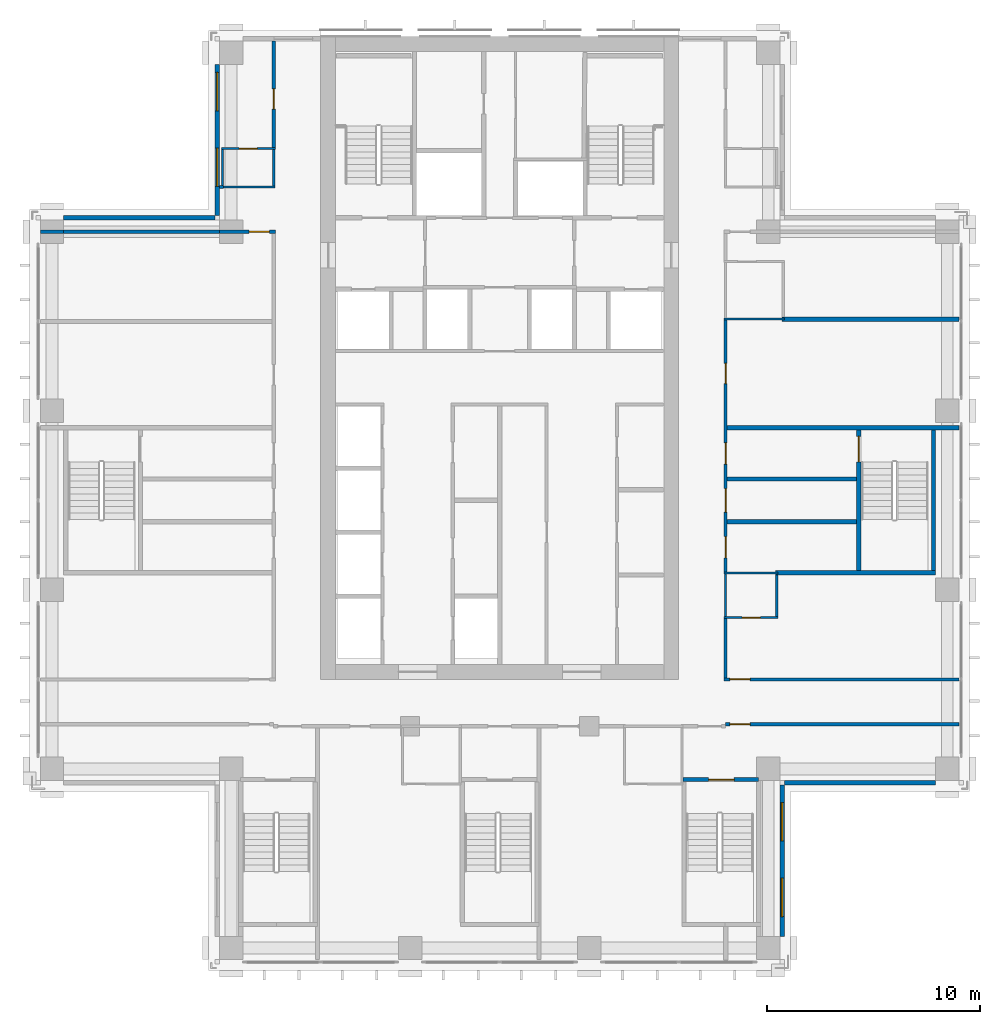
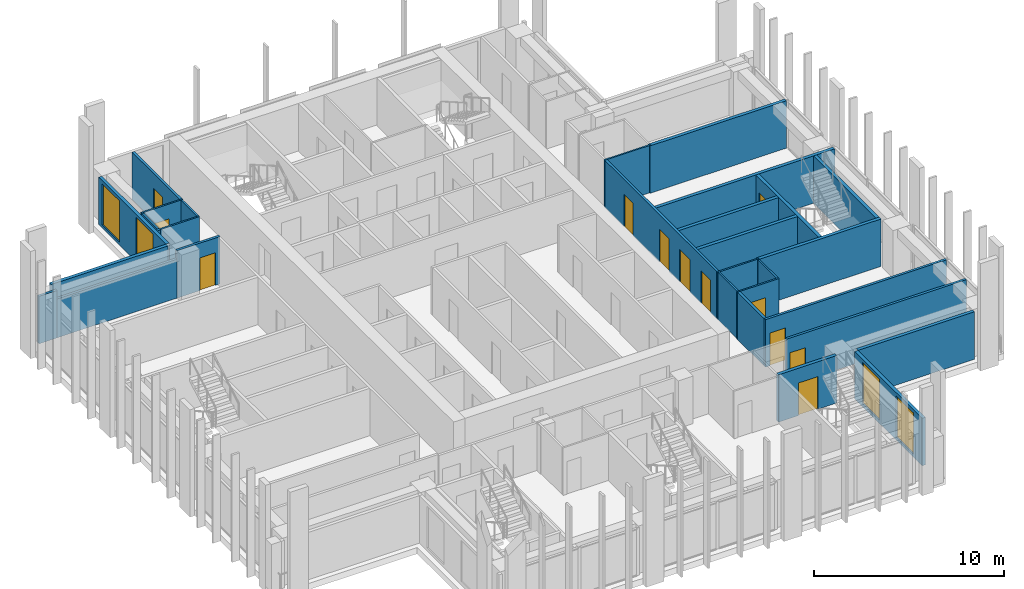
# One storey, part 11 of 16: 30 walls, 12 doors, 4 windows, 16 openings.
"""IFC4 building model written with IfcOpenShell, lengths in metres."""

from ifc_helpers import new_model, si_unit, direction, frame, frame_2d, origin, place, context, subcontext, project, spatial, rectangle, extrude, material, layer, layer_set, type_object, element, fill, save


model = new_model("IFC4")

# Units and contexts
model_context = context("Model", 3, precision=1e-05, world=origin(), true_north=direction((0.0, 1.0)))
body_context = subcontext(model_context, "Body", "Model", "MODEL_VIEW")
ifc_project = project(units=[si_unit("LENGTHUNIT", "METRE"), si_unit("AREAUNIT", "SQUARE_METRE"), si_unit("VOLUMEUNIT", "CUBIC_METRE"), si_unit("PLANEANGLEUNIT", "RADIAN"), si_unit("MASSUNIT", "GRAM", prefix="KILO")], contexts=[model_context])

# Site, building, storey
site_placement = place(None, origin())
site = spatial("IfcSite", under=ifc_project, at=site_placement, CompositionType="ELEMENT")
building_placement = place(site_placement, origin())
building = spatial("IfcBuilding", under=site, at=building_placement, Name="Vermilion Ogive Tower", CompositionType="ELEMENT")
storey_placement = place(building_placement, frame((0.0, 0.0, 150.35009765625)))
storey = spatial("IfcBuildingStorey", under=building, at=storey_placement, Name="L38", CompositionType="ELEMENT", Elevation=150.35009765625)

# Wall, opening, door
ifc_material_1 = material(Name="Gypsum board partition on steel studs", Category="steel")
ifc_layer_1 = layer(ifc_material_1, 0.10009765625)
ifc_layer_set_1 = layer_set([ifc_layer_1], Name="Partition 100 bath")
wall_type_1 = type_object("IfcWallType", Name="Partition 100 bath", PredefinedType="PARTITIONING", material=ifc_layer_set_1)
wall_1_placement = place(storey_placement, frame((10.52490234375, -5.5, 0.0), z_axis=(0.0, 0.0, 1.0), x_axis=(1.0, 0.0, 0.0)))
wall_1 = element("IfcWall", 1, at=wall_1_placement, inside=storey, type_object=wall_type_1, Name="L38-W-W018", PredefinedType="PARTITIONING", context=body_context, shape_type="SweptSolid", body=[
    extrude(rectangle(XDim=2.523193359375, YDim=0.10009765625, at=frame_2d((1.26171875, 0.0))), origin(), (0.0, 0.0, 1.0), 3.0498046875),
])
opening_1_placement = place(wall_1_placement, frame((0.85009765625, 0.0, 0.0)))
opening_1 = element("IfcOpeningElement", 2, at=opening_1_placement, cuts=wall_1, Name="Opening D3G3013", PredefinedType="OPENING", context=body_context, shape_type="SweptSolid", body=[
    extrude(rectangle(XDim=0.85009765625, YDim=2.10009765625, at=frame_2d((0.425048828125, 1.050048828125))), frame((0.0, 0.06005859375, 0.0), z_axis=(0.0, -1.0, 0.0), x_axis=(1.0, 0.0, 0.0)), (0.0, 0.0, 1.0), 0.1201171875),
])
ifc_material_2 = material(Name="Timber door leaf", Category="wood")
door_type_1 = type_object("IfcDoorType", Name="Bath door 850 x 2100 FD30", OperationType="SINGLE_SWING_LEFT", PredefinedType="DOOR", material=ifc_material_2)
door_1_placement = place(opening_1_placement, origin())
door_1 = element("IfcDoor", 3, at=door_1_placement, inside=storey, type_object=door_type_1, Name="L38-D-D013", OperationType="SINGLE_SWING_LEFT", OverallHeight=2.10009765625, OverallWidth=0.85009765625, PredefinedType="DOOR", context=body_context, shape_type="SweptSolid", body=[
    extrude(rectangle(XDim=0.85009765625, YDim=2.10009765625, at=frame_2d((0.425048828125, 1.050048828125))), frame((0.0, 0.02490234375, 0.0), z_axis=(0.0, -1.0, 0.0), x_axis=(1.0, 0.0, 0.0)), (0.0, 0.0, 1.0), 0.050048828125),
])
fill(opening_1, door_1)

# Walls
wall_2_placement = place(storey_placement, frame((10.52490234375, -3.39990234375, 0.0), z_axis=(0.0, 0.0, 1.0), x_axis=(1.0, 0.0, 0.0)))
element("IfcWall", 4, at=wall_2_placement, inside=storey, type_object=wall_type_1, Name="L38-W-W020", PredefinedType="PARTITIONING", context=body_context, shape_type="SweptSolid", body=[
    extrude(rectangle(XDim=2.525146484375, YDim=0.10009765625, at=frame_2d((1.2626953125, 0.0))), origin(), (0.0, 0.0, 1.0), 3.0498046875),
])
wall_3_placement = place(storey_placement, frame((10.52490234375, 8.5, 0.0), z_axis=(0.0, 0.0, 1.0), x_axis=(1.0, 0.0, 0.0)))
element("IfcWall", 5, at=wall_3_placement, inside=storey, type_object=wall_type_1, Name="L38-W-W029", PredefinedType="PARTITIONING", context=body_context, shape_type="SweptSolid", body=[
    extrude(rectangle(XDim=2.8251953125, YDim=0.10009765625, at=frame_2d((1.41259765625, 0.0))), origin(), (0.0, 0.0, 1.0), 3.0498046875),
])
wall_4_placement = place(storey_placement, frame((-13.050048828125, 14.699951171875, 0.0), z_axis=(0.0, 0.0, 1.0), x_axis=(1.0, 0.0, 0.0)))
element("IfcWall", 6, at=wall_4_placement, inside=storey, type_object=wall_type_1, Name="L38-W-W035", PredefinedType="PARTITIONING", context=body_context, shape_type="SweptSolid", body=[
    extrude(rectangle(XDim=2.5, YDim=0.10009765625, at=frame_2d((1.25, 0.0))), origin(), (0.0, 0.0, 1.0), 3.0498046875),
])

# Wall, opening, door
wall_5_placement = place(storey_placement, frame((-13.050048828125, 16.5, 0.0), z_axis=(0.0, 0.0, 1.0), x_axis=(1.0, 0.0, 0.0)))
wall_5 = element("IfcWall", 7, at=wall_5_placement, inside=storey, type_object=wall_type_1, Name="L38-W-W038", PredefinedType="PARTITIONING", context=body_context, shape_type="SweptSolid", body=[
    extrude(rectangle(XDim=2.525146484375, YDim=0.10009765625, at=frame_2d((1.2626953125, 0.0))), origin(), (0.0, 0.0, 1.0), 3.0498046875),
])
opening_2_placement = place(wall_5_placement, frame((0.824951171875, 0.0, 0.0)))
opening_2 = element("IfcOpeningElement", 8, at=opening_2_placement, cuts=wall_5, Name="Opening D3G3006", PredefinedType="OPENING", context=body_context, shape_type="SweptSolid", body=[
    extrude(rectangle(XDim=0.85009765625, YDim=2.10009765625, at=frame_2d((0.425048828125, 1.050048828125))), frame((0.0, 0.06005859375, 0.0), z_axis=(0.0, -1.0, 0.0), x_axis=(1.0, 0.0, 0.0)), (0.0, 0.0, 1.0), 0.1201171875),
])
door_2_placement = place(opening_2_placement, origin())
door_2 = element("IfcDoor", 9, at=door_2_placement, inside=storey, type_object=door_type_1, Name="L38-D-D006", OperationType="SINGLE_SWING_RIGHT", OverallHeight=2.10009765625, OverallWidth=0.85009765625, PredefinedType="DOOR", context=body_context, shape_type="SweptSolid", body=[
    extrude(rectangle(XDim=0.85009765625, YDim=2.10009765625, at=frame_2d((0.425048828125, 1.050048828125))), frame((0.0, 0.02490234375, 0.0), z_axis=(0.0, -1.0, 0.0), x_axis=(1.0, 0.0, 0.0)), (0.0, 0.0, 1.0), 0.050048828125),
])
fill(opening_2, door_2)

# Walls
wall_6_placement = place(storey_placement, frame((-13.0, 14.77490234375, 0.0), z_axis=(0.0, 0.0, 1.0), x_axis=(0.0, 1.0, 0.0)))
element("IfcWall", 10, at=wall_6_placement, inside=storey, type_object=wall_type_1, Name="L38-W-W042", PredefinedType="PARTITIONING", context=body_context, shape_type="SweptSolid", body=[
    extrude(rectangle(XDim=1.675048828125, YDim=0.10009765625, at=frame_2d((0.83740234375, 0.0))), origin(), (0.0, 0.0, 1.0), 3.0498046875),
])
wall_7_placement = place(storey_placement, frame((-10.60009765625, 14.75, 0.0), z_axis=(0.0, 0.0, 1.0), x_axis=(0.0, 1.0, 0.0)))
element("IfcWall", 11, at=wall_7_placement, inside=storey, type_object=wall_type_1, Name="L38-W-W044", PredefinedType="PARTITIONING", context=body_context, shape_type="SweptSolid", body=[
    extrude(rectangle(XDim=1.699951171875, YDim=0.10009765625, at=frame_2d((0.85009765625, 0.0))), origin(), (0.0, 0.0, 1.0), 3.0498046875),
])
wall_8_placement = place(storey_placement, frame((10.60009765625, -5.449951171875, 0.0), z_axis=(0.0, 0.0, 1.0), x_axis=(0.0, 1.0, 0.0)))
element("IfcWall", 12, at=wall_8_placement, inside=storey, type_object=wall_type_1, Name="L38-W-W058", PredefinedType="PARTITIONING", context=body_context, shape_type="SweptSolid", body=[
    extrude(rectangle(XDim=2.0, YDim=0.10009765625, at=frame_2d((1.0, 0.0))), origin(), (0.0, 0.0, 1.0), 3.0498046875),
])
wall_9_placement = place(storey_placement, frame((13.0, -5.447998046875, 0.0), z_axis=(0.0, 0.0, 1.0), x_axis=(0.0, 1.0, 0.0)))
element("IfcWall", 13, at=wall_9_placement, inside=storey, type_object=wall_type_1, Name="L38-W-W064", PredefinedType="PARTITIONING", context=body_context, shape_type="SweptSolid", body=[
    extrude(rectangle(XDim=1.947998046875, YDim=0.10009765625, at=frame_2d((0.97412109375, 0.0))), origin(), (0.0, 0.0, 1.0), 3.0498046875),
])

# Wall, opening, door
ifc_material_3 = material(Name="Gypsum board partition on steel studs", Category="steel")
ifc_layer_2 = layer(ifc_material_3, 0.14990234375)
ifc_layer_set_2 = layer_set([ifc_layer_2], Name="Partition 150 corridor")
wall_type_2 = type_object("IfcWallType", Name="Partition 150 corridor", PredefinedType="PARTITIONING", material=ifc_layer_set_2)
wall_10_placement = place(storey_placement, frame((10.60009765625, -10.5, 0.0), z_axis=(0.0, 0.0, 1.0), x_axis=(1.0, 0.0, 0.0)))
wall_10 = element("IfcWall", 14, at=wall_10_placement, inside=storey, type_object=wall_type_2, Name="L38-W-W015", PredefinedType="PARTITIONING", context=body_context, shape_type="SweptSolid", body=[
    extrude(rectangle(XDim=10.949951171875, YDim=0.14990234375, at=frame_2d((5.47509765625, 0.0))), origin(), (0.0, 0.0, 1.0), 3.0498046875),
])
opening_3_placement = place(wall_10_placement, frame((0.199951171875, 0.0, 0.0)))
opening_3 = element("IfcOpeningElement", 15, at=opening_3_placement, cuts=wall_10, Name="Opening D3G3011", PredefinedType="OPENING", context=body_context, shape_type="SweptSolid", body=[
    extrude(rectangle(XDim=0.949951171875, YDim=2.10009765625, at=frame_2d((0.47509765625, 1.050048828125))), frame((0.0, 0.0849609375, 0.0), z_axis=(0.0, -1.0, 0.0), x_axis=(1.0, 0.0, 0.0)), (0.0, 0.0, 1.0), 0.169921875),
])
ifc_material_4 = material(Name="Timber door leaf", Category="wood")
door_type_2 = type_object("IfcDoorType", Name="Unit door 950 x 2100 FD30S", OperationType="SINGLE_SWING_LEFT", PredefinedType="DOOR", material=ifc_material_4)
door_3_placement = place(opening_3_placement, origin())
door_3 = element("IfcDoor", 16, at=door_3_placement, inside=storey, type_object=door_type_2, Name="L38-D-D011", OperationType="SINGLE_SWING_RIGHT", OverallHeight=2.10009765625, OverallWidth=0.949951171875, PredefinedType="DOOR", context=body_context, shape_type="SweptSolid", body=[
    extrude(rectangle(XDim=0.949951171875, YDim=2.10009765625, at=frame_2d((0.47509765625, 1.050048828125))), frame((0.0, 0.02490234375, 0.0), z_axis=(0.0, -1.0, 0.0), x_axis=(1.0, 0.0, 0.0)), (0.0, 0.0, 1.0), 0.050048828125),
])
fill(opening_3, door_3)

wall_11_placement = place(storey_placement, frame((10.52490234375, -8.39990234375, 0.0), z_axis=(0.0, 0.0, 1.0), x_axis=(1.0, 0.0, 0.0)))
wall_11 = element("IfcWall", 17, at=wall_11_placement, inside=storey, type_object=wall_type_2, Name="L38-W-W017", PredefinedType="PARTITIONING", context=body_context, shape_type="SweptSolid", body=[
    extrude(rectangle(XDim=11.025146484375, YDim=0.14990234375, at=frame_2d((5.5126953125, 0.0))), origin(), (0.0, 0.0, 1.0), 3.0498046875),
])
opening_4_placement = place(wall_11_placement, frame((0.275146484375, 0.0, 0.0)))
opening_4 = element("IfcOpeningElement", 18, at=opening_4_placement, cuts=wall_11, Name="Opening D3G3012", PredefinedType="OPENING", context=body_context, shape_type="SweptSolid", body=[
    extrude(rectangle(XDim=0.949951171875, YDim=2.10009765625, at=frame_2d((0.47509765625, 1.050048828125))), frame((0.0, 0.0849609375, 0.0), z_axis=(0.0, -1.0, 0.0), x_axis=(1.0, 0.0, 0.0)), (0.0, 0.0, 1.0), 0.169921875),
])
door_4_placement = place(opening_4_placement, origin())
door_4 = element("IfcDoor", 19, at=door_4_placement, inside=storey, type_object=door_type_2, Name="L38-D-D012", OperationType="SINGLE_SWING_LEFT", OverallHeight=2.10009765625, OverallWidth=0.949951171875, PredefinedType="DOOR", context=body_context, shape_type="SweptSolid", body=[
    extrude(rectangle(XDim=0.949951171875, YDim=2.10009765625, at=frame_2d((0.47509765625, 1.050048828125))), frame((0.0, 0.02490234375, 0.0), z_axis=(0.0, -1.0, 0.0), x_axis=(1.0, 0.0, 0.0)), (0.0, 0.0, 1.0), 0.050048828125),
])
fill(opening_4, door_4)

# Walls
wall_12_placement = place(storey_placement, frame((-21.550048828125, 12.60009765625, 0.0), z_axis=(0.0, 0.0, 1.0), x_axis=(1.0, 0.0, 0.0)))
element("IfcWall", 20, at=wall_12_placement, inside=storey, type_object=wall_type_2, Name="L38-W-W032", PredefinedType="PARTITIONING", context=body_context, shape_type="SweptSolid", body=[
    extrude(rectangle(XDim=1.10009765625, YDim=0.14990234375, at=frame_2d((0.550048828125, 0.0))), origin(), (0.0, 0.0, 1.0), 3.0498046875),
])
wall_13_placement = place(storey_placement, frame((-13.14990234375, 14.699951171875, 0.0), z_axis=(0.0, 0.0, 1.0), x_axis=(1.0, 0.0, 0.0)))
element("IfcWall", 21, at=wall_13_placement, inside=storey, type_object=wall_type_2, Name="L38-W-W034", PredefinedType="PARTITIONING", context=body_context, shape_type="SweptSolid", body=[
    extrude(rectangle(XDim=0.199951171875, YDim=0.14990234375, at=frame_2d((0.10009765625, 0.0))), origin(), (0.0, 0.0, 1.0), 3.0498046875),
])

# Wall, opening, door
wall_14_placement = place(storey_placement, frame((-10.60009765625, 16.550048828125, 0.0), z_axis=(0.0, 0.0, 1.0), x_axis=(0.0, 1.0, 0.0)))
wall_14 = element("IfcWall", 22, at=wall_14_placement, inside=storey, type_object=wall_type_2, Name="L38-W-W045", PredefinedType="PARTITIONING", context=body_context, shape_type="SweptSolid", body=[
    extrude(rectangle(XDim=5.0, YDim=0.14990234375, at=frame_2d((2.5, 0.0))), origin(), (0.0, 0.0, 1.0), 3.0498046875),
])
opening_5_placement = place(wall_14_placement, frame((1.800048828125, 0.0, 0.0)))
opening_5 = element("IfcOpeningElement", 23, at=opening_5_placement, cuts=wall_14, Name="Opening D3G3005", PredefinedType="OPENING", context=body_context, shape_type="SweptSolid", body=[
    extrude(rectangle(XDim=0.949951171875, YDim=2.10009765625, at=frame_2d((0.47509765625, 1.050048828125))), frame((0.0, 0.0849609375, 0.0), z_axis=(0.0, -1.0, 0.0), x_axis=(1.0, 0.0, 0.0)), (0.0, 0.0, 1.0), 0.169921875),
])
door_5_placement = place(opening_5_placement, origin())
door_5 = element("IfcDoor", 24, at=door_5_placement, inside=storey, type_object=door_type_2, Name="L38-D-D005", OperationType="SINGLE_SWING_RIGHT", OverallHeight=2.10009765625, OverallWidth=0.949951171875, PredefinedType="DOOR", context=body_context, shape_type="SweptSolid", body=[
    extrude(rectangle(XDim=0.949951171875, YDim=2.10009765625, at=frame_2d((0.47509765625, 1.050048828125))), frame((0.0, 0.02490234375, 0.0), z_axis=(0.0, -1.0, 0.0), x_axis=(1.0, 0.0, 0.0)), (0.0, 0.0, 1.0), 0.050048828125),
])
fill(opening_5, door_5)

# Wall
wall_15_placement = place(storey_placement, frame((10.60009765625, -8.324951171875, 0.0), z_axis=(0.0, 0.0, 1.0), x_axis=(0.0, 1.0, 0.0)))
element("IfcWall", 25, at=wall_15_placement, inside=storey, type_object=wall_type_2, Name="L38-W-W057", PredefinedType="PARTITIONING", context=body_context, shape_type="SweptSolid", body=[
    extrude(rectangle(XDim=2.77490234375, YDim=0.14990234375, at=frame_2d((1.387451171875, 0.0))), origin(), (0.0, 0.0, 1.0), 3.0498046875),
])

# Wall, openings, doors
wall_16_placement = place(storey_placement, frame((10.60009765625, -3.35009765625, 0.0), z_axis=(0.0, 0.0, 1.0), x_axis=(0.0, 1.0, 0.0)))
wall_16 = element("IfcWall", 26, at=wall_16_placement, inside=storey, type_object=wall_type_2, Name="L38-W-W059", PredefinedType="PARTITIONING", context=body_context, shape_type="SweptSolid", body=[
    extrude(rectangle(XDim=11.800048828125, YDim=0.14990234375, at=frame_2d((5.89990234375, 0.0))), origin(), (0.0, 0.0, 1.0), 3.0498046875),
])
opening_6_placement = place(wall_16_placement, frame((8.8251953125, 0.0, 0.0)))
opening_6 = element("IfcOpeningElement", 27, at=opening_6_placement, cuts=wall_16, Name="Opening D3G3014", PredefinedType="OPENING", context=body_context, shape_type="SweptSolid", body=[
    extrude(rectangle(XDim=0.949951171875, YDim=2.10009765625, at=frame_2d((0.47509765625, 1.050048828125))), frame((0.0, 0.0849609375, 0.0), z_axis=(0.0, -1.0, 0.0), x_axis=(1.0, 0.0, 0.0)), (0.0, 0.0, 1.0), 0.169921875),
])
opening_7_placement = place(wall_16_placement, frame((2.800048828125, 0.0, 0.0)))
opening_7 = element("IfcOpeningElement", 28, at=opening_7_placement, cuts=wall_16, Name="Opening D3G3025", PredefinedType="OPENING", context=body_context, shape_type="SweptSolid", body=[
    extrude(rectangle(XDim=1.10009765625, YDim=2.10009765625, at=frame_2d((0.550048828125, 1.050048828125))), frame((0.0, 0.0849609375, 0.0), z_axis=(0.0, -1.0, 0.0), x_axis=(1.0, 0.0, 0.0)), (0.0, 0.0, 1.0), 0.169921875),
])
opening_8_placement = place(wall_16_placement, frame((0.650146484375, 0.0, 0.0)))
opening_8 = element("IfcOpeningElement", 29, at=opening_8_placement, cuts=wall_16, Name="Opening D3G3030", PredefinedType="OPENING", context=body_context, shape_type="SweptSolid", body=[
    extrude(rectangle(XDim=1.0, YDim=2.10009765625, at=frame_2d((0.5, 1.050048828125))), frame((0.0, 0.0849609375, 0.0), z_axis=(0.0, -1.0, 0.0), x_axis=(1.0, 0.0, 0.0)), (0.0, 0.0, 1.0), 0.169921875),
])
opening_9_placement = place(wall_16_placement, frame((5.050048828125, 0.0, 0.0)))
opening_9 = element("IfcOpeningElement", 30, at=opening_9_placement, cuts=wall_16, Name="Opening D3G3032", PredefinedType="OPENING", context=body_context, shape_type="SweptSolid", body=[
    extrude(rectangle(XDim=1.0, YDim=2.10009765625, at=frame_2d((0.5, 1.050048828125))), frame((0.0, 0.0849609375, 0.0), z_axis=(0.0, -1.0, 0.0), x_axis=(1.0, 0.0, 0.0)), (0.0, 0.0, 1.0), 0.169921875),
])
ifc_material_5 = material(Name="Timber door leaf", Category="wood")
door_type_3 = type_object("IfcDoorType", Name="Stair door 1100 x 2100 FD60S", OperationType="SINGLE_SWING_LEFT", PredefinedType="DOOR", material=ifc_material_5)
door_6_placement = place(opening_7_placement, origin())
door_6 = element("IfcDoor", 31, at=door_6_placement, inside=storey, type_object=door_type_3, Name="L38-D-D025", OperationType="SINGLE_SWING_LEFT", OverallHeight=2.10009765625, OverallWidth=1.10009765625, PredefinedType="DOOR", context=body_context, shape_type="SweptSolid", body=[
    extrude(rectangle(XDim=1.10009765625, YDim=2.10009765625, at=frame_2d((0.550048828125, 1.050048828125))), frame((0.0, 0.02490234375, 0.0), z_axis=(0.0, -1.0, 0.0), x_axis=(1.0, 0.0, 0.0)), (0.0, 0.0, 1.0), 0.050048828125),
])
fill(opening_7, door_6)
ifc_material_6 = material(Name="Timber door leaf", Category="wood")
door_type_4 = type_object("IfcDoorType", Name="Unit door 1000 x 2100 FD30S", OperationType="SINGLE_SWING_LEFT", PredefinedType="DOOR", material=ifc_material_6)
door_7_placement = place(opening_8_placement, origin())
door_7 = element("IfcDoor", 32, at=door_7_placement, inside=storey, type_object=door_type_4, Name="L38-D-D030", OperationType="SINGLE_SWING_RIGHT", OverallHeight=2.10009765625, OverallWidth=1.0, PredefinedType="DOOR", context=body_context, shape_type="SweptSolid", body=[
    extrude(rectangle(XDim=1.0, YDim=2.10009765625, at=frame_2d((0.5, 1.050048828125))), frame((0.0, 0.02490234375, 0.0), z_axis=(0.0, -1.0, 0.0), x_axis=(1.0, 0.0, 0.0)), (0.0, 0.0, 1.0), 0.050048828125),
])
fill(opening_8, door_7)
door_8_placement = place(opening_9_placement, origin())
door_8 = element("IfcDoor", 33, at=door_8_placement, inside=storey, type_object=door_type_4, Name="L38-D-D032", OperationType="SINGLE_SWING_LEFT", OverallHeight=2.10009765625, OverallWidth=1.0, PredefinedType="DOOR", context=body_context, shape_type="SweptSolid", body=[
    extrude(rectangle(XDim=1.0, YDim=2.10009765625, at=frame_2d((0.5, 1.050048828125))), frame((0.0, 0.02490234375, 0.0), z_axis=(0.0, -1.0, 0.0), x_axis=(1.0, 0.0, 0.0)), (0.0, 0.0, 1.0), 0.050048828125),
])
fill(opening_9, door_8)
door_9_placement = place(opening_6_placement, origin())
door_9 = element("IfcDoor", 34, at=door_9_placement, inside=storey, type_object=door_type_2, Name="L38-D-D014", OperationType="SINGLE_SWING_LEFT", OverallHeight=2.10009765625, OverallWidth=0.949951171875, PredefinedType="DOOR", context=body_context, shape_type="SweptSolid", body=[
    extrude(rectangle(XDim=0.949951171875, YDim=2.10009765625, at=frame_2d((0.47509765625, 1.050048828125))), frame((0.0, 0.02490234375, 0.0), z_axis=(0.0, -1.0, 0.0), x_axis=(1.0, 0.0, 0.0)), (0.0, 0.0, 1.0), 0.050048828125),
])
fill(opening_6, door_9)

# Wall
wall_17_placement = place(storey_placement, frame((-20.449951171875, 12.60009765625, 0.0), z_axis=(0.0, 0.0, 1.0), x_axis=(1.0, 0.0, 0.0)))
element("IfcWall", 35, at=wall_17_placement, inside=storey, type_object=wall_type_2, Name="L38-W-W032-h1", PredefinedType="PARTITIONING", context=body_context, shape_type="SweptSolid", body=[
    extrude(rectangle(XDim=7.300048828125, YDim=0.14990234375, at=frame_2d((3.64990234375, 0.0))), origin(), (0.0, 0.0, 1.0), 2.5),
])

# Wall, opening, door
wall_18_placement = place(storey_placement, frame((-13.14990234375, 12.60009765625, 0.0), z_axis=(0.0, 0.0, 1.0), x_axis=(1.0, 0.0, 0.0)))
wall_18 = element("IfcWall", 36, at=wall_18_placement, inside=storey, type_object=wall_type_2, Name="L38-W-W032-h2", PredefinedType="PARTITIONING", context=body_context, shape_type="SweptSolid", body=[
    extrude(rectangle(XDim=2.625, YDim=0.14990234375, at=frame_2d((1.3125, 0.0))), origin(), (0.0, 0.0, 1.0), 3.0498046875),
])
opening_10_placement = place(wall_18_placement, frame((1.39990234375, 0.0, 0.0)))
opening_10 = element("IfcOpeningElement", 37, at=opening_10_placement, cuts=wall_18, Name="Opening D3G3004", PredefinedType="OPENING", context=body_context, shape_type="SweptSolid", body=[
    extrude(rectangle(XDim=0.949951171875, YDim=2.10009765625, at=frame_2d((0.47509765625, 1.050048828125))), frame((0.0, 0.0849609375, 0.0), z_axis=(0.0, -1.0, 0.0), x_axis=(1.0, 0.0, 0.0)), (0.0, 0.0, 1.0), 0.169921875),
])
door_10_placement = place(opening_10_placement, origin())
door_10 = element("IfcDoor", 38, at=door_10_placement, inside=storey, type_object=door_type_2, Name="L38-D-D004", OperationType="SINGLE_SWING_RIGHT", OverallHeight=2.10009765625, OverallWidth=0.949951171875, PredefinedType="DOOR", context=body_context, shape_type="SweptSolid", body=[
    extrude(rectangle(XDim=0.949951171875, YDim=2.10009765625, at=frame_2d((0.47509765625, 1.050048828125))), frame((0.0, 0.02490234375, 0.0), z_axis=(0.0, -1.0, 0.0), x_axis=(1.0, 0.0, 0.0)), (0.0, 0.0, 1.0), 0.050048828125),
])
fill(opening_10, door_10)

# Walls
ifc_material_7 = material(Name="Gypsum board partition on steel studs", Category="steel")
ifc_layer_3 = layer(ifc_material_7, 0.199951171875)
ifc_layer_set_3 = layer_set([ifc_layer_3], Name="Partition 200 party")
wall_type_3 = type_object("IfcWallType", Name="Partition 200 party", PredefinedType="PARTITIONING", material=ifc_layer_set_3)
for number, where, z_axis, x_axis, name in (
    (39, (10.675048828125, -1.0, 0.0), (0.0, 0.0, 1.0), (1.0, 0.0, 0.0), "L38-W-W023"),
    (40, (10.675048828125, 1.0, 0.0), (0.0, 0.0, 1.0), (1.0, 0.0, 0.0), "L38-W-W025"),
):
    element("IfcWall", number, at=place(storey_placement, frame(where, z_axis=z_axis, x_axis=x_axis)), inside=storey, type_object=wall_type_3, Name=name, PredefinedType="PARTITIONING", context=body_context, shape_type="SweptSolid", body=[
        extrude(rectangle(XDim=6.074951171875, YDim=0.199951171875, at=frame_2d((3.03759765625, 0.0))), origin(), (0.0, 0.0, 1.0), 3.0498046875),
    ])
wall_19_placement = place(storey_placement, frame((13.25, 8.5, 0.0), z_axis=(0.0, 0.0, 1.0), x_axis=(1.0, 0.0, 0.0)))
element("IfcWall", 41, at=wall_19_placement, inside=storey, type_object=wall_type_3, Name="L38-W-W030", PredefinedType="PARTITIONING", context=body_context, shape_type="SweptSolid", body=[
    extrude(rectangle(XDim=8.300048828125, YDim=0.199951171875, at=frame_2d((4.14990234375, 0.0))), origin(), (0.0, 0.0, 1.0), 3.0498046875),
])

# Wall, opening, door
ifc_material_8 = material(Name="Concrete B60", Category="concrete")
ifc_layer_4 = layer(ifc_material_8, 0.199951171875)
ifc_layer_set_4 = layer_set([ifc_layer_4], Name="Stair shaft wall 200 Concrete B60")
wall_type_4 = type_object("IfcWallType", Name="Stair shaft wall 200 Concrete B60", PredefinedType="SOLIDWALL", material=ifc_layer_set_4)
wall_20_placement = place(storey_placement, frame((8.60205078125, -13.10009765625, 0.0), z_axis=(0.0, 0.0, 1.0), x_axis=(1.0, 0.0, 0.0)))
wall_20 = element("IfcWall", 42, at=wall_20_placement, inside=storey, type_object=wall_type_4, Name="L38-W-W008", PredefinedType="SOLIDWALL", context=body_context, shape_type="SweptSolid", body=[
    extrude(rectangle(XDim=3.5478515625, YDim=0.199951171875, at=frame_2d((1.77392578125, 0.0))), origin(), (0.0, 0.0, 1.0), 3.0498046875),
])
opening_11_placement = place(wall_20_placement, frame((1.197998046875, 0.0, 0.0)))
opening_11 = element("IfcOpeningElement", 43, at=opening_11_placement, cuts=wall_20, Name="Opening D3G3024", PredefinedType="OPENING", context=body_context, shape_type="SweptSolid", body=[
    extrude(rectangle(XDim=1.199951171875, YDim=2.10009765625, at=frame_2d((0.60009765625, 1.050048828125))), frame((0.0, 0.10986328125, 0.0), z_axis=(0.0, -1.0, 0.0), x_axis=(1.0, 0.0, 0.0)), (0.0, 0.0, 1.0), 0.219970703125),
])
ifc_material_9 = material(Name="Timber door leaf", Category="wood")
door_type_5 = type_object("IfcDoorType", Name="Stair door 1200 x 2100 FD60S", OperationType="SINGLE_SWING_LEFT", PredefinedType="DOOR", material=ifc_material_9)
door_11_placement = place(opening_11_placement, origin())
door_11 = element("IfcDoor", 44, at=door_11_placement, inside=storey, type_object=door_type_5, Name="L38-D-D024", OperationType="SINGLE_SWING_RIGHT", OverallHeight=2.10009765625, OverallWidth=1.199951171875, PredefinedType="DOOR", context=body_context, shape_type="SweptSolid", body=[
    extrude(rectangle(XDim=1.199951171875, YDim=2.10009765625, at=frame_2d((0.60009765625, 1.050048828125))), frame((0.0, 0.02490234375, 0.0), z_axis=(0.0, -1.0, 0.0), x_axis=(1.0, 0.0, 0.0)), (0.0, 0.0, 1.0), 0.050048828125),
])
fill(opening_11, door_11)

# Wall
wall_21_placement = place(storey_placement, frame((10.675048828125, 3.39990234375, 0.0), z_axis=(0.0, 0.0, 1.0), x_axis=(1.0, 0.0, 0.0)))
element("IfcWall", 45, at=wall_21_placement, inside=storey, type_object=wall_type_4, Name="L38-W-W027", PredefinedType="SOLIDWALL", context=body_context, shape_type="SweptSolid", body=[
    extrude(rectangle(XDim=10.875, YDim=0.199951171875, at=frame_2d((5.4375, 0.0))), origin(), (0.0, 0.0, 1.0), 3.0498046875),
])

# Wall, opening, door
wall_22_placement = place(storey_placement, frame((16.85009765625, -3.300048828125, 0.0), z_axis=(0.0, 0.0, 1.0), x_axis=(0.0, 1.0, 0.0)))
wall_22 = element("IfcWall", 46, at=wall_22_placement, inside=storey, type_object=wall_type_4, Name="L38-W-W067", PredefinedType="SOLIDWALL", context=body_context, shape_type="SweptSolid", body=[
    extrude(rectangle(XDim=6.60009765625, YDim=0.199951171875, at=frame_2d((3.300048828125, 0.0))), origin(), (0.0, 0.0, 1.0), 3.0498046875),
])
opening_12_placement = place(wall_22_placement, frame((5.10009765625, 0.0, 0.0)))
opening_12 = element("IfcOpeningElement", 47, at=opening_12_placement, cuts=wall_22, Name="Opening D3G3026", PredefinedType="OPENING", context=body_context, shape_type="SweptSolid", body=[
    extrude(rectangle(XDim=1.199951171875, YDim=2.10009765625, at=frame_2d((0.60009765625, 1.050048828125))), frame((0.0, 0.10986328125, 0.0), z_axis=(0.0, -1.0, 0.0), x_axis=(1.0, 0.0, 0.0)), (0.0, 0.0, 1.0), 0.219970703125),
])
door_12_placement = place(opening_12_placement, origin())
door_12 = element("IfcDoor", 48, at=door_12_placement, inside=storey, type_object=door_type_5, Name="L38-D-D026", OperationType="SINGLE_SWING_LEFT", OverallHeight=2.10009765625, OverallWidth=1.199951171875, PredefinedType="DOOR", context=body_context, shape_type="SweptSolid", body=[
    extrude(rectangle(XDim=1.199951171875, YDim=2.10009765625, at=frame_2d((0.60009765625, 1.050048828125))), frame((0.0, 0.02490234375, 0.0), z_axis=(0.0, -1.0, 0.0), x_axis=(1.0, 0.0, 0.0)), (0.0, 0.0, 1.0), 0.050048828125),
])
fill(opening_12, door_12)

# Walls
wall_23_placement = place(storey_placement, frame((20.35009765625, -3.298095703125, 0.0), z_axis=(0.0, 0.0, 1.0), x_axis=(0.0, 1.0, 0.0)))
element("IfcWall", 49, at=wall_23_placement, inside=storey, type_object=wall_type_4, Name="L38-W-W068", PredefinedType="SOLIDWALL", context=body_context, shape_type="SweptSolid", body=[
    extrude(rectangle(XDim=6.59619140625, YDim=0.199951171875, at=frame_2d((3.298095703125, 0.0))), origin(), (0.0, 0.0, 1.0), 3.0498046875),
])
wall_24_placement = place(storey_placement, frame((12.949951171875, -3.39990234375, 0.0), z_axis=(0.0, 0.0, 1.0), x_axis=(1.0, 0.0, 0.0)))
element("IfcWall", 50, at=wall_24_placement, inside=storey, type_object=wall_type_4, Name="L38-W-W021-A", PredefinedType="SOLIDWALL", context=body_context, shape_type="SweptSolid", body=[
    extrude(rectangle(XDim=7.498046875, YDim=0.199951171875, at=frame_2d((3.7490234375, 0.0))), origin(), (0.0, 0.0, 1.0), 3.0498046875),
])

# Wall, openings, windows
ifc_material_10 = material(Name="Aluminium window wall framing", Category="aluminium")
ifc_layer_5 = layer(ifc_material_10, 0.199951171875)
ifc_layer_set_5 = layer_set([ifc_layer_5], Name="Window wall")
wall_type_5 = type_object("IfcWallType", Name="Window wall", PredefinedType="STANDARD", material=ifc_layer_set_5)
wall_25_placement = place(storey_placement, frame((13.25, -20.449951171875, 0.0), z_axis=(0.0, 0.0, 1.0), x_axis=(0.0, 1.0, 0.0)))
wall_25 = element("IfcWall", 51, at=wall_25_placement, inside=storey, type_object=wall_type_5, Name="Window wall X11", PredefinedType="STANDARD", context=body_context, shape_type="SweptSolid", body=[
    extrude(rectangle(XDim=7.099853515625, YDim=0.199951171875, at=frame_2d((3.5498046875, 0.0))), origin(), (0.0, 0.0, 1.0), 3.0498046875),
])
opening_13_placement = place(wall_25_placement, frame((0.925048828125, 0.0, 0.199951171875)))
opening_13 = element("IfcOpeningElement", 52, at=opening_13_placement, cuts=wall_25, Name="Opening W1-X195", PredefinedType="OPENING", context=body_context, shape_type="SweptSolid", body=[
    extrude(rectangle(XDim=1.800048828125, YDim=2.64990234375, at=frame_2d((0.89990234375, 1.324951171875))), frame((0.0, 0.10986328125, 0.0), z_axis=(0.0, -1.0, 0.0), x_axis=(1.0, 0.0, 0.0)), (0.0, 0.0, 1.0), 0.219970703125),
])
opening_14_placement = place(wall_25_placement, frame((4.47509765625, 0.0, 0.199951171875)))
opening_14 = element("IfcOpeningElement", 53, at=opening_14_placement, cuts=wall_25, Name="Opening W1-X196", PredefinedType="OPENING", context=body_context, shape_type="SweptSolid", body=[
    extrude(rectangle(XDim=1.800048828125, YDim=2.64990234375, at=frame_2d((0.89990234375, 1.324951171875))), frame((0.0, 0.10986328125, 0.0), z_axis=(0.0, -1.0, 0.0), x_axis=(1.0, 0.0, 0.0)), (0.0, 0.0, 1.0), 0.219970703125),
])
ifc_material_11 = material(Name="Aluminium framed double glazing", Category="aluminium")
window_type = type_object("IfcWindowType", Name="Guest window W1", PartitioningType="SINGLE_PANEL", PredefinedType="WINDOW", material=ifc_material_11)
window_1_placement = place(opening_13_placement, origin())
window_1 = element("IfcWindow", 54, at=window_1_placement, inside=storey, type_object=window_type, Name="Window X195", OverallHeight=2.64990234375, OverallWidth=1.800048828125, PartitioningType="SINGLE_PANEL", PredefinedType="WINDOW", context=body_context, shape_type="SweptSolid", body=[
    extrude(rectangle(XDim=1.800048828125, YDim=2.64990234375, at=frame_2d((0.89990234375, 1.324951171875))), frame((0.0, 0.030029296875, 0.0), z_axis=(0.0, -1.0, 0.0), x_axis=(1.0, 0.0, 0.0)), (0.0, 0.0, 1.0), 0.06005859375),
])
fill(opening_13, window_1)
window_2_placement = place(opening_14_placement, origin())
window_2 = element("IfcWindow", 55, at=window_2_placement, inside=storey, type_object=window_type, Name="Window X196", OverallHeight=2.64990234375, OverallWidth=1.800048828125, PartitioningType="SINGLE_PANEL", PredefinedType="WINDOW", context=body_context, shape_type="SweptSolid", body=[
    extrude(rectangle(XDim=1.800048828125, YDim=2.64990234375, at=frame_2d((0.89990234375, 1.324951171875))), frame((0.0, 0.030029296875, 0.0), z_axis=(0.0, -1.0, 0.0), x_axis=(1.0, 0.0, 0.0)), (0.0, 0.0, 1.0), 0.06005859375),
])
fill(opening_14, window_2)

# Wall
wall_26_placement = place(storey_placement, frame((13.35009765625, -13.25, 0.0), z_axis=(0.0, 0.0, 1.0), x_axis=(1.0, 0.0, 0.0)))
element("IfcWall", 56, at=wall_26_placement, inside=storey, type_object=wall_type_5, Name="Window wall X21", PredefinedType="STANDARD", context=body_context, shape_type="SweptSolid", body=[
    extrude(rectangle(XDim=7.099853515625, YDim=0.199951171875, at=frame_2d((3.5498046875, 0.0))), origin(), (0.0, 0.0, 1.0), 3.0498046875),
])

# Wall, openings, windows
wall_27_placement = place(storey_placement, frame((-13.25, 20.449951171875, 0.0), z_axis=(0.0, 0.0, 1.0), x_axis=(0.0, -1.0, 0.0)))
wall_27 = element("IfcWall", 57, at=wall_27_placement, inside=storey, type_object=wall_type_5, Name="Window wall X51", PredefinedType="STANDARD", context=body_context, shape_type="SweptSolid", body=[
    extrude(rectangle(XDim=7.099853515625, YDim=0.199951171875, at=frame_2d((3.5498046875, 0.0))), origin(), (0.0, 0.0, 1.0), 3.0498046875),
])
opening_15_placement = place(wall_27_placement, frame((3.925048828125, 0.0, 0.199951171875)))
opening_15 = element("IfcOpeningElement", 58, at=opening_15_placement, cuts=wall_27, Name="Opening W1-X503", PredefinedType="OPENING", context=body_context, shape_type="SweptSolid", body=[
    extrude(rectangle(XDim=1.800048828125, YDim=2.64990234375, at=frame_2d((0.89990234375, 1.324951171875))), frame((0.0, 0.10986328125, 0.0), z_axis=(0.0, -1.0, 0.0), x_axis=(1.0, 0.0, 0.0)), (0.0, 0.0, 1.0), 0.219970703125),
])
opening_16_placement = place(wall_27_placement, frame((0.375, 0.0, 0.199951171875)))
opening_16 = element("IfcOpeningElement", 59, at=opening_16_placement, cuts=wall_27, Name="Opening W1-X504", PredefinedType="OPENING", context=body_context, shape_type="SweptSolid", body=[
    extrude(rectangle(XDim=1.800048828125, YDim=2.64990234375, at=frame_2d((0.89990234375, 1.324951171875))), frame((0.0, 0.10986328125, 0.0), z_axis=(0.0, -1.0, 0.0), x_axis=(1.0, 0.0, 0.0)), (0.0, 0.0, 1.0), 0.219970703125),
])
window_3_placement = place(opening_15_placement, origin())
window_3 = element("IfcWindow", 60, at=window_3_placement, inside=storey, type_object=window_type, Name="Window X503", OverallHeight=2.64990234375, OverallWidth=1.800048828125, PartitioningType="SINGLE_PANEL", PredefinedType="WINDOW", context=body_context, shape_type="SweptSolid", body=[
    extrude(rectangle(XDim=1.800048828125, YDim=2.64990234375, at=frame_2d((0.89990234375, 1.324951171875))), frame((0.0, 0.030029296875, 0.0), z_axis=(0.0, -1.0, 0.0), x_axis=(1.0, 0.0, 0.0)), (0.0, 0.0, 1.0), 0.06005859375),
])
fill(opening_15, window_3)
window_4_placement = place(opening_16_placement, origin())
window_4 = element("IfcWindow", 61, at=window_4_placement, inside=storey, type_object=window_type, Name="Window X504", OverallHeight=2.64990234375, OverallWidth=1.800048828125, PartitioningType="SINGLE_PANEL", PredefinedType="WINDOW", context=body_context, shape_type="SweptSolid", body=[
    extrude(rectangle(XDim=1.800048828125, YDim=2.64990234375, at=frame_2d((0.89990234375, 1.324951171875))), frame((0.0, 0.030029296875, 0.0), z_axis=(0.0, -1.0, 0.0), x_axis=(1.0, 0.0, 0.0)), (0.0, 0.0, 1.0), 0.06005859375),
])
fill(opening_16, window_4)

# Wall
wall_28_placement = place(storey_placement, frame((-13.35009765625, 13.25, 0.0), z_axis=(0.0, 0.0, 1.0), x_axis=(-1.0, 0.0, 0.0)))
element("IfcWall", 62, at=wall_28_placement, inside=storey, type_object=wall_type_5, Name="Window wall X61", PredefinedType="STANDARD", context=body_context, shape_type="SweptSolid", body=[
    extrude(rectangle(XDim=7.099853515625, YDim=0.199951171875, at=frame_2d((3.5498046875, 0.0))), origin(), (0.0, 0.0, 1.0), 3.0498046875),
])

save(model, "model.ifc")
